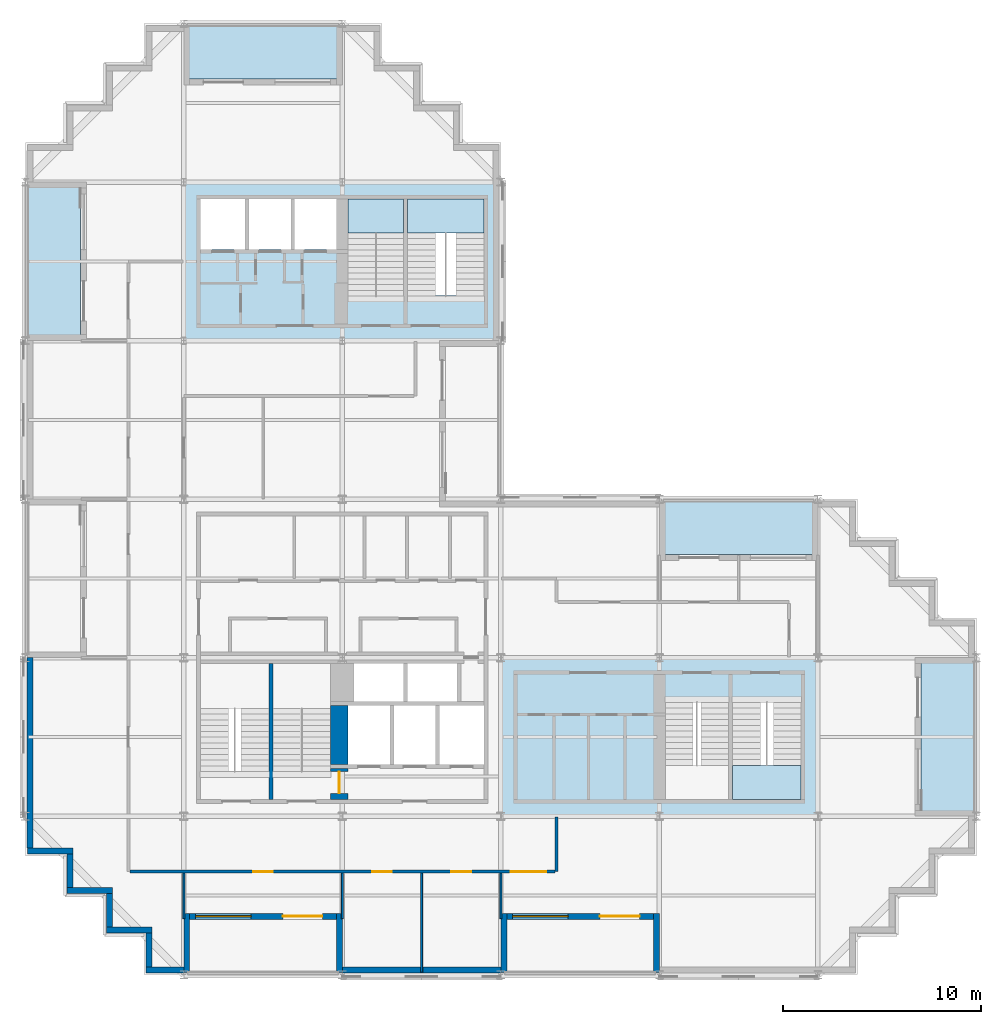
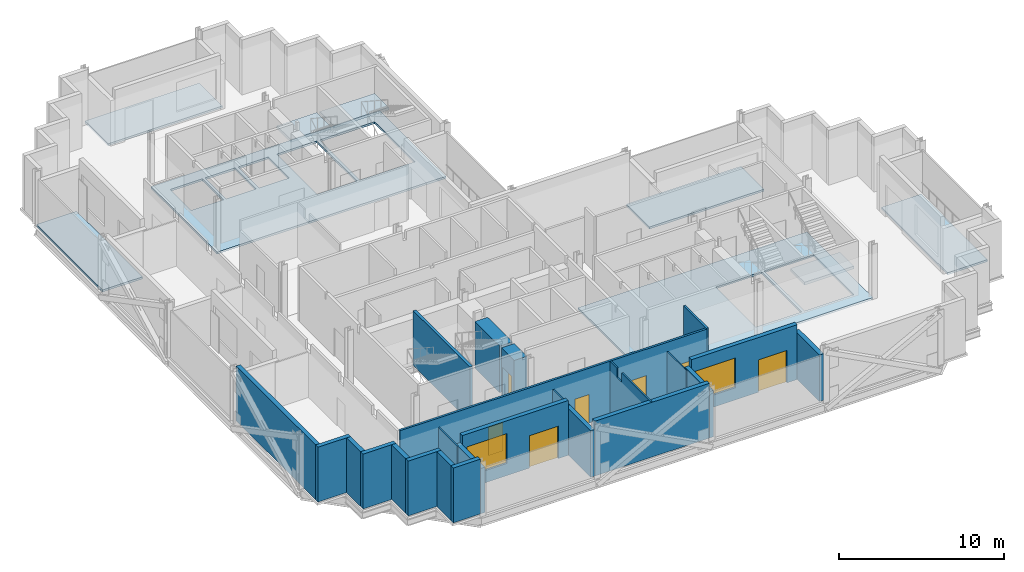
# One storey, part 4 of 10: 24 walls, 9 slabs, 7 doors, 2 windows, 9 openings, 3 elements without a shape of their own.
"""IFC4 building model written with IfcOpenShell, lengths in metres."""

from ifc_helpers import new_model, si_unit, direction, frame, frame_2d, origin, place, context, subcontext, project, spatial, polyline, rectangle, outline, extrude, material, layer, layer_set, type_object, element, fill, aggregate, save


model = new_model("IFC4")

# Units and contexts
model_context = context("Model", 3, precision=1e-05, world=origin(), true_north=direction((0.0, 1.0)))
body_context = subcontext(model_context, "Body", "Model", "MODEL_VIEW")
ifc_project = project(units=[si_unit("LENGTHUNIT", "METRE"), si_unit("AREAUNIT", "SQUARE_METRE"), si_unit("VOLUMEUNIT", "CUBIC_METRE"), si_unit("PLANEANGLEUNIT", "RADIAN"), si_unit("MASSUNIT", "GRAM", prefix="KILO")], contexts=[model_context])

# Site, building, storey
site_placement = place(None, origin())
site = spatial("IfcSite", under=ifc_project, at=site_placement, CompositionType="ELEMENT")
building_placement = place(site_placement, origin())
building = spatial("IfcBuilding", under=site, at=building_placement, Name="Immortelle Media Tower", CompositionType="ELEMENT")
storey_placement = place(building_placement, frame((0.0, 0.0, 162.0)))
storey = spatial("IfcBuildingStorey", under=building, at=storey_placement, Name="L33", CompositionType="ELEMENT", Elevation=162.0)

# Slabs
ifc_material_1 = material(Name="Concrete C50/60 composite deck", Category="concrete")
ifc_layer_1 = layer(ifc_material_1, 0.14990234375)
ifc_layer_set_1 = layer_set([ifc_layer_1], Name="Concrete C50/60 composite deck")
slab_type_1 = type_object("IfcSlabType", Name="Balcony slab 150", PredefinedType="FLOOR", material=ifc_layer_set_1)
slab_1_placement = place(storey_placement, frame((0.0, 0.0, -0.14990234375)))
element("IfcSlab", 1, at=slab_1_placement, inside=storey, type_object=slab_type_1, Name="Balcony slab L33 E0", PredefinedType="FLOOR", context=body_context, shape_type="SweptSolid", body=[
    extrude(outline(polyline([(48.0, 8.0), (48.0, 16.0), (45.199951171875, 16.0), (45.199951171875, 8.0), (48.0, 8.0)])), origin(), (0.0, 0.0, 1.0), 0.14990234375),
])
slab_2_placement = place(storey_placement, frame((0.0, 0.0, -0.14990234375)))
element("IfcSlab", 2, at=slab_2_placement, inside=storey, type_object=slab_type_1, Name="Balcony slab L33 N0", PredefinedType="FLOOR", context=body_context, shape_type="SweptSolid", body=[
    extrude(outline(polyline([(40.0, 21.199951171875), (40.0, 24.0), (32.0, 24.0), (32.0, 21.199951171875), (40.0, 21.199951171875)])), origin(), (0.0, 0.0, 1.0), 0.14990234375),
])
slab_3_placement = place(storey_placement, frame((0.0, 0.0, -0.14990234375)))
element("IfcSlab", 3, at=slab_3_placement, inside=storey, type_object=slab_type_1, Name="Balcony slab L33 N0", PredefinedType="FLOOR", context=body_context, shape_type="SweptSolid", body=[
    extrude(outline(polyline([(16.0, 45.199951171875), (16.0, 48.0), (8.0, 48.0), (8.0, 45.199951171875), (16.0, 45.199951171875)])), origin(), (0.0, 0.0, 1.0), 0.14990234375),
])
slab_4_placement = place(storey_placement, frame((0.0, 0.0, -0.14990234375)))
element("IfcSlab", 4, at=slab_4_placement, inside=storey, type_object=slab_type_1, Name="Balcony slab L33 W0", PredefinedType="FLOOR", context=body_context, shape_type="SweptSolid", body=[
    extrude(outline(polyline([(2.800048828125, 32.0), (2.800048828125, 40.0), (0.0, 40.0), (0.0, 32.0), (2.800048828125, 32.0)])), origin(), (0.0, 0.0, 1.0), 0.14990234375),
])
ifc_material_2 = material(Name="Concrete C50/60", Category="concrete")
ifc_layer_2 = layer(ifc_material_2, 0.14990234375)
ifc_layer_set_2 = layer_set([ifc_layer_2], Name="Concrete C50/60")
slab_type_2 = type_object("IfcSlabType", Name="Core floor slab 150", PredefinedType="FLOOR", material=ifc_layer_set_2)
slab_5_placement = place(storey_placement, frame((0.0, 0.0, -0.14990234375)))
element("IfcSlab", 5, at=slab_5_placement, inside=storey, type_object=slab_type_2, Name="Core floor SE", PredefinedType="FLOOR", context=body_context, shape_type="SweptSolid", body=[
    extrude(outline(polyline([(24.0, 8.0), (40.0, 8.0), (40.0, 16.0), (24.0, 16.0), (24.0, 8.0)]), holes=[polyline([(32.300048828125, 8.85009765625), (35.5, 8.85009765625), (35.5, 13.72998046875), (32.300048828125, 13.72998046875), (32.300048828125, 8.85009765625)]), polyline([(35.699951171875, 8.85009765625), (39.14990234375, 8.85009765625), (39.14990234375, 13.72998046875), (35.699951171875, 13.72998046875), (35.699951171875, 8.85009765625)])]), origin(), (0.0, 0.0, 1.0), 0.14990234375),
])
slab_6_placement = place(storey_placement, frame((0.0, 0.0, -0.14990234375)))
element("IfcSlab", 6, at=slab_6_placement, inside=storey, type_object=slab_type_2, Name="Core floor NW", PredefinedType="FLOOR", context=body_context, shape_type="SweptSolid", body=[
    extrude(outline(polyline([(8.0, 32.0), (24.0, 32.0), (24.0, 40.0), (8.0, 40.0), (8.0, 32.0)]), holes=[polyline([(8.85009765625, 36.60009765625), (11.10009765625, 36.60009765625), (11.10009765625, 39.14990234375), (8.85009765625, 39.14990234375), (8.85009765625, 36.60009765625)]), polyline([(11.300048828125, 36.60009765625), (13.39990234375, 36.60009765625), (13.39990234375, 39.14990234375), (11.300048828125, 39.14990234375), (11.300048828125, 36.60009765625)]), polyline([(13.60009765625, 36.60009765625), (15.699951171875, 36.60009765625), (15.699951171875, 39.14990234375), (13.60009765625, 39.14990234375), (13.60009765625, 36.60009765625)]), polyline([(16.300048828125, 34.27001953125), (19.10009765625, 34.27001953125), (19.10009765625, 39.14990234375), (16.300048828125, 39.14990234375), (16.300048828125, 34.27001953125)]), polyline([(19.300048828125, 34.27001953125), (23.14990234375, 34.27001953125), (23.14990234375, 39.14990234375), (19.300048828125, 39.14990234375), (19.300048828125, 34.27001953125)])]), origin(), (0.0, 0.0, 1.0), 0.14990234375),
])

# Stair, slab
ifc_material_3 = material(Name="Steel ASTM A992 Gr 50", Category="steel")
stair_type = type_object("IfcStairType", Name="Stair with flights", PredefinedType="DOUBLE_RETURN_STAIR", material=ifc_material_3)
stair_1_placement = place(storey_placement, origin())
stair_1 = element("IfcStair", 7, at=stair_1_placement, inside=storey, type_object=stair_type, Name="Exit stair SE2", PredefinedType="DOUBLE_RETURN_STAIR")
ifc_material_4 = material(Name="Steel ASTM A572 Gr 50", Category="steel")
ifc_layer_3 = layer(ifc_material_4, 0.199951171875)
ifc_layer_set_3 = layer_set([ifc_layer_3], Name="Steel ASTM A572 Gr 50")
slab_type_3 = type_object("IfcSlabType", Name="Stair landing 200", PredefinedType="LANDING", material=ifc_layer_set_3)
slab_7_placement = place(storey_placement, frame((0.0, 0.0, 1.89990234375)))
slab_7 = element("IfcSlab", 8, at=slab_7_placement, type_object=slab_type_3, Name="ST SE2 landing 1", PredefinedType="LANDING", context=body_context, shape_type="SweptSolid", body=[
    extrude(outline(polyline([(35.699951171875, 8.85009765625), (39.14990234375, 8.85009765625), (39.14990234375, 10.56005859375), (35.699951171875, 10.56005859375), (35.699951171875, 8.85009765625)])), origin(), (0.0, 0.0, 1.0), 0.2001953125),
])
aggregate(stair_1, [slab_7])

stair_2_placement = place(storey_placement, origin())
stair_2 = element("IfcStair", 9, at=stair_2_placement, inside=storey, type_object=stair_type, Name="Exit stair NW1", PredefinedType="DOUBLE_RETURN_STAIR")
slab_8_placement = place(storey_placement, frame((0.0, 0.0, 1.89990234375)))
slab_8 = element("IfcSlab", 10, at=slab_8_placement, type_object=slab_type_3, Name="ST NW1 landing 1", PredefinedType="LANDING", context=body_context, shape_type="SweptSolid", body=[
    extrude(outline(polyline([(16.300048828125, 37.43994140625), (19.10009765625, 37.43994140625), (19.10009765625, 39.14990234375), (16.300048828125, 39.14990234375), (16.300048828125, 37.43994140625)])), origin(), (0.0, 0.0, 1.0), 0.2001953125),
])
aggregate(stair_2, [slab_8])

stair_3_placement = place(storey_placement, origin())
stair_3 = element("IfcStair", 11, at=stair_3_placement, inside=storey, type_object=stair_type, Name="Exit stair NW2", PredefinedType="DOUBLE_RETURN_STAIR")
slab_9_placement = place(storey_placement, frame((0.0, 0.0, 1.89990234375)))
slab_9 = element("IfcSlab", 12, at=slab_9_placement, type_object=slab_type_3, Name="ST NW2 landing 1", PredefinedType="LANDING", context=body_context, shape_type="SweptSolid", body=[
    extrude(outline(polyline([(19.300048828125, 37.43994140625), (23.14990234375, 37.43994140625), (23.14990234375, 39.14990234375), (19.300048828125, 39.14990234375), (19.300048828125, 37.43994140625)])), origin(), (0.0, 0.0, 1.0), 0.2001953125),
])
aggregate(stair_3, [slab_9])

# Wall, openings, doors
ifc_material_5 = material(Name="Fire-rated gypsum board", Category="gypsum")
ifc_layer_4 = layer(ifc_material_5, 0.012451171875)
ifc_material_6 = material(Name="Steel ASTM A653 SS Gr 50 stud frame with mineral wool", Category="steel")
ifc_layer_5 = layer(ifc_material_6, 0.125)
ifc_layer_6 = layer(ifc_material_5, 0.012451171875)
ifc_layer_set_4 = layer_set([ifc_layer_4, ifc_layer_5, ifc_layer_6], Name="Steel ASTM A653 SS Gr 50 stud frame with mineral wool")
wall_type_1 = type_object("IfcWallType", Name="Corridor wall 150", PredefinedType="PARTITIONING", material=ifc_layer_set_4)
wall_1_placement = place(storey_placement, frame((5.27490234375, 5.199951171875, 0.0), z_axis=(0.0, 0.0, 1.0), x_axis=(1.0, 0.0, 0.0)))
wall_1 = element("IfcWall", 13, at=wall_1_placement, inside=storey, type_object=wall_type_1, Name="Partition L33-005", PredefinedType="PARTITIONING", context=body_context, shape_type="SweptSolid", body=[
    extrude(rectangle(XDim=21.4501953125, YDim=0.14990234375, at=frame_2d((10.72509765625, 0.0))), origin(), (0.0, 0.0, 1.0), 4.050048828125),
])
opening_1_placement = place(wall_1_placement, frame((13.22509765625, 0.0, 0.0), z_axis=(0.0, 0.0, 1.0), x_axis=(-1.0, 0.0, 0.0)))
opening_1 = element("IfcOpeningElement", 14, at=opening_1_placement, cuts=wall_1, Name="Opening C4-F001", PredefinedType="OPENING", context=body_context, shape_type="SweptSolid", body=[
    extrude(rectangle(XDim=1.0, YDim=2.10009765625, at=frame_2d((0.5, 1.050048828125))), frame((0.0, 0.0849609375, 0.0), z_axis=(0.0, -1.0, 0.0), x_axis=(1.0, 0.0, 0.0)), (0.0, 0.0, 1.0), 0.169921875),
])
opening_2_placement = place(wall_1_placement, frame((17.22509765625, 0.0, 0.0), z_axis=(0.0, 0.0, 1.0), x_axis=(-1.0, 0.0, 0.0)))
opening_2 = element("IfcOpeningElement", 15, at=opening_2_placement, cuts=wall_1, Name="Opening C4-F002", PredefinedType="OPENING", context=body_context, shape_type="SweptSolid", body=[
    extrude(rectangle(XDim=1.0, YDim=2.10009765625, at=frame_2d((0.5, 1.050048828125))), frame((0.0, 0.0849609375, 0.0), z_axis=(0.0, -1.0, 0.0), x_axis=(1.0, 0.0, 0.0)), (0.0, 0.0, 1.0), 0.169921875),
])
opening_3_placement = place(wall_1_placement, frame((7.22509765625, 0.0, 0.0), z_axis=(0.0, 0.0, 1.0), x_axis=(-1.0, 0.0, 0.0)))
opening_3 = element("IfcOpeningElement", 16, at=opening_3_placement, cuts=wall_1, Name="Opening C4-F003", PredefinedType="OPENING", context=body_context, shape_type="SweptSolid", body=[
    extrude(rectangle(XDim=1.0, YDim=2.10009765625, at=frame_2d((0.5, 1.050048828125))), frame((0.0, 0.0849609375, 0.0), z_axis=(0.0, -1.0, 0.0), x_axis=(1.0, 0.0, 0.0)), (0.0, 0.0, 1.0), 0.169921875),
])
opening_4_placement = place(wall_1_placement, frame((19.22509765625, 0.0, 0.0)))
opening_4 = element("IfcOpeningElement", 17, at=opening_4_placement, cuts=wall_1, Name="Opening C4-F004", PredefinedType="OPENING", context=body_context, shape_type="SweptSolid", body=[
    extrude(rectangle(XDim=1.800048828125, YDim=2.10009765625, at=frame_2d((0.89990234375, 1.050048828125))), frame((0.0, 0.0849609375, 0.0), z_axis=(0.0, -1.0, 0.0), x_axis=(1.0, 0.0, 0.0)), (0.0, 0.0, 1.0), 0.169921875),
])
ifc_material_7 = material(Name="Timber veneered door leaf, galvanised steel frame ASTM A653", Category="steel")
door_type_1 = type_object("IfcDoorType", Name="Room door 1000 x 2100", OperationType="NOTDEFINED", PredefinedType="DOOR", material=ifc_material_7)
door_1_placement = place(opening_1_placement, origin())
door_1 = element("IfcDoor", 18, at=door_1_placement, inside=storey, type_object=door_type_1, Name="Door C4-F001", OperationType="SINGLE_SWING_RIGHT", OverallHeight=2.10009765625, OverallWidth=1.0, PredefinedType="DOOR", context=body_context, shape_type="SweptSolid", body=[
    extrude(rectangle(XDim=1.0, YDim=2.10009765625, at=frame_2d((0.5, 1.050048828125))), frame((0.0, 0.02490234375, 0.0), z_axis=(0.0, -1.0, 0.0), x_axis=(1.0, 0.0, 0.0)), (0.0, 0.0, 1.0), 0.050048828125),
])
fill(opening_1, door_1)
door_2_placement = place(opening_2_placement, origin())
door_2 = element("IfcDoor", 19, at=door_2_placement, inside=storey, type_object=door_type_1, Name="Door C4-F002", OperationType="SINGLE_SWING_LEFT", OverallHeight=2.10009765625, OverallWidth=1.0, PredefinedType="DOOR", context=body_context, shape_type="SweptSolid", body=[
    extrude(rectangle(XDim=1.0, YDim=2.10009765625, at=frame_2d((0.5, 1.050048828125))), frame((0.0, 0.02490234375, 0.0), z_axis=(0.0, -1.0, 0.0), x_axis=(1.0, 0.0, 0.0)), (0.0, 0.0, 1.0), 0.050048828125),
])
fill(opening_2, door_2)
door_3_placement = place(opening_3_placement, origin())
door_3 = element("IfcDoor", 20, at=door_3_placement, inside=storey, type_object=door_type_1, Name="Door C4-F003", OperationType="SINGLE_SWING_LEFT", OverallHeight=2.10009765625, OverallWidth=1.0, PredefinedType="DOOR", context=body_context, shape_type="SweptSolid", body=[
    extrude(rectangle(XDim=1.0, YDim=2.10009765625, at=frame_2d((0.5, 1.050048828125))), frame((0.0, 0.02490234375, 0.0), z_axis=(0.0, -1.0, 0.0), x_axis=(1.0, 0.0, 0.0)), (0.0, 0.0, 1.0), 0.050048828125),
])
fill(opening_3, door_3)
door_type_2 = type_object("IfcDoorType", Name="Room door 1800 x 2100", OperationType="DOUBLE_DOOR_SINGLE_SWING", PredefinedType="DOOR", material=ifc_material_7)
door_4_placement = place(opening_4_placement, origin())
door_4 = element("IfcDoor", 21, at=door_4_placement, inside=storey, type_object=door_type_2, Name="Door C4-F004", OperationType="DOUBLE_DOOR_SINGLE_SWING", OverallHeight=2.10009765625, OverallWidth=1.800048828125, PredefinedType="DOOR", context=body_context, shape_type="SweptSolid", body=[
    extrude(rectangle(XDim=1.800048828125, YDim=2.10009765625, at=frame_2d((0.89990234375, 1.050048828125))), frame((0.0, 0.02490234375, 0.0), z_axis=(0.0, -1.0, 0.0), x_axis=(1.0, 0.0, 0.0)), (0.0, 0.0, 1.0), 0.050048828125),
])
fill(opening_4, door_4)

# Walls
wall_2_placement = place(storey_placement, frame((26.800048828125, 5.199951171875, 0.0), z_axis=(0.0, 0.0, 1.0), x_axis=(0.0, 1.0, 0.0)))
element("IfcWall", 22, at=wall_2_placement, inside=storey, type_object=wall_type_1, Name="Partition L33-007", PredefinedType="PARTITIONING", context=body_context, shape_type="SweptSolid", body=[
    extrude(rectangle(XDim=2.77001953125, YDim=0.14990234375, at=frame_2d((1.385009765625, 0.0))), origin(), (0.0, 0.0, 1.0), 4.050048828125),
])
ifc_material_8 = material(Name="Pale aluminium cladding panel", Category="aluminium")
ifc_layer_7 = layer(ifc_material_8, 0.030029296875)
ifc_layer_8 = layer(ifc_material_6, 0.257568359375)
ifc_material_9 = material(Name="Moisture-resistant gypsum board", Category="gypsum")
ifc_layer_9 = layer(ifc_material_9, 0.012451171875)
ifc_layer_set_5 = layer_set([ifc_layer_7, ifc_layer_8, ifc_layer_9], Name="Steel ASTM A653 SS Gr 50 stud frame with mineral wool")
wall_type_2 = type_object("IfcWallType", Name="Facade wall 300", PredefinedType="SOLIDWALL", material=ifc_layer_set_5)
wall_3_placement = place(storey_placement, frame((0.10009765625, 6.25, 0.0), z_axis=(0.0, 0.0, 1.0), x_axis=(1.0, 0.0, 0.0)))
element("IfcWall", 23, at=wall_3_placement, inside=storey, type_object=wall_type_2, Name="Facade wall L33 S0", PredefinedType="SOLIDWALL", context=body_context, shape_type="SweptSolid", body=[
    extrude(rectangle(XDim=2.2998046875, YDim=0.300048828125, at=frame_2d((1.14990234375, 0.0))), origin(), (0.0, 0.0, 1.0), 4.050048828125),
])
wall_4_placement = place(storey_placement, frame((2.25, 6.10009765625, 0.0), z_axis=(0.0, 0.0, 1.0), x_axis=(0.0, -1.0, 0.0)))
element("IfcWall", 24, at=wall_4_placement, inside=storey, type_object=wall_type_2, Name="Facade wall L33 W1", PredefinedType="SOLIDWALL", context=body_context, shape_type="SweptSolid", body=[
    extrude(rectangle(XDim=1.7001953125, YDim=0.300048828125, at=frame_2d((0.85009765625, 0.0))), origin(), (0.0, 0.0, 1.0), 4.050048828125),
])
wall_5_placement = place(storey_placement, frame((2.10009765625, 4.25, 0.0), z_axis=(0.0, 0.0, 1.0), x_axis=(1.0, 0.0, 0.0)))
element("IfcWall", 25, at=wall_5_placement, inside=storey, type_object=wall_type_2, Name="Facade wall L33 S2", PredefinedType="SOLIDWALL", context=body_context, shape_type="SweptSolid", body=[
    extrude(rectangle(XDim=2.2998046875, YDim=0.300048828125, at=frame_2d((1.14990234375, 0.0))), origin(), (0.0, 0.0, 1.0), 4.050048828125),
])
wall_6_placement = place(storey_placement, frame((4.25, 4.10009765625, 0.0), z_axis=(0.0, 0.0, 1.0), x_axis=(0.0, -1.0, 0.0)))
element("IfcWall", 26, at=wall_6_placement, inside=storey, type_object=wall_type_2, Name="Facade wall L33 W3", PredefinedType="SOLIDWALL", context=body_context, shape_type="SweptSolid", body=[
    extrude(rectangle(XDim=1.7001953125, YDim=0.300048828125, at=frame_2d((0.85009765625, 0.0))), origin(), (0.0, 0.0, 1.0), 4.050048828125),
])
wall_7_placement = place(storey_placement, frame((4.10009765625, 2.25, 0.0), z_axis=(0.0, 0.0, 1.0), x_axis=(1.0, 0.0, 0.0)))
element("IfcWall", 27, at=wall_7_placement, inside=storey, type_object=wall_type_2, Name="Facade wall L33 S4", PredefinedType="SOLIDWALL", context=body_context, shape_type="SweptSolid", body=[
    extrude(rectangle(XDim=2.2998046875, YDim=0.300048828125, at=frame_2d((1.14990234375, 0.0))), origin(), (0.0, 0.0, 1.0), 4.050048828125),
])
wall_8_placement = place(storey_placement, frame((6.25, 2.10009765625, 0.0), z_axis=(0.0, 0.0, 1.0), x_axis=(0.0, -1.0, 0.0)))
element("IfcWall", 28, at=wall_8_placement, inside=storey, type_object=wall_type_2, Name="Facade wall L33 W5", PredefinedType="SOLIDWALL", context=body_context, shape_type="SweptSolid", body=[
    extrude(rectangle(XDim=1.7001953125, YDim=0.300048828125, at=frame_2d((0.85009765625, 0.0))), origin(), (0.0, 0.0, 1.0), 4.050048828125),
])
wall_9_placement = place(storey_placement, frame((6.10009765625, 0.25, 0.0), z_axis=(0.0, 0.0, 1.0), x_axis=(1.0, 0.0, 0.0)))
element("IfcWall", 29, at=wall_9_placement, inside=storey, type_object=wall_type_2, Name="Facade wall L33 S6", PredefinedType="SOLIDWALL", context=body_context, shape_type="SweptSolid", body=[
    extrude(rectangle(XDim=1.89990234375, YDim=0.300048828125, at=frame_2d((0.949951171875, 0.0))), origin(), (0.0, 0.0, 1.0), 4.050048828125),
])

# Wall, openings, door, window
wall_10_placement = place(storey_placement, frame((8.300048828125, 2.949951171875, 0.0), z_axis=(0.0, 0.0, 1.0), x_axis=(1.0, 0.0, 0.0)))
wall_10 = element("IfcWall", 30, at=wall_10_placement, inside=storey, type_object=wall_type_2, Name="Loggia wall L33 S6", PredefinedType="SOLIDWALL", context=body_context, shape_type="SweptSolid", body=[
    extrude(rectangle(XDim=7.39990234375, YDim=0.300048828125, at=frame_2d((3.699951171875, 0.0))), origin(), (0.0, 0.0, 1.0), 4.050048828125),
])
opening_5_placement = place(wall_10_placement, frame((0.300048828125, 0.0, 0.89990234375)))
opening_5 = element("IfcOpeningElement", 31, at=opening_5_placement, cuts=wall_10, Name="Opening W1", PredefinedType="OPENING", context=body_context, shape_type="SweptSolid", body=[
    extrude(rectangle(XDim=2.800048828125, YDim=2.199951171875, at=frame_2d((1.39990234375, 1.10009765625))), frame((0.0, 0.159912109375, 0.0), z_axis=(0.0, -1.0, 0.0), x_axis=(1.0, 0.0, 0.0)), (0.0, 0.0, 1.0), 0.320068359375),
])
opening_6_placement = place(wall_10_placement, frame((4.699951171875, 0.0, 0.0)))
opening_6 = element("IfcOpeningElement", 32, at=opening_6_placement, cuts=wall_10, Name="Opening C4-E001", PredefinedType="OPENING", context=body_context, shape_type="SweptSolid", body=[
    extrude(rectangle(XDim=2.0, YDim=2.39990234375, at=frame_2d((1.0, 1.199951171875))), frame((0.0, 0.159912109375, 0.0), z_axis=(0.0, -1.0, 0.0), x_axis=(1.0, 0.0, 0.0)), (0.0, 0.0, 1.0), 0.320068359375),
])
ifc_material_10 = material(Name="Aluminium frame, glazed leaves", Category="aluminium")
door_type_3 = type_object("IfcDoorType", Name="Loggia door 2000 x 2400", OperationType="DOUBLE_DOOR_SINGLE_SWING", PredefinedType="DOOR", material=ifc_material_10)
door_5_placement = place(opening_6_placement, origin())
door_5 = element("IfcDoor", 33, at=door_5_placement, inside=storey, type_object=door_type_3, Name="Door C4-E001", OperationType="DOUBLE_DOOR_SINGLE_SWING", OverallHeight=2.39990234375, OverallWidth=2.0, PredefinedType="DOOR", context=body_context, shape_type="SweptSolid", body=[
    extrude(rectangle(XDim=2.0, YDim=2.39990234375, at=frame_2d((1.0, 1.199951171875))), frame((0.0, 0.02490234375, 0.0), z_axis=(0.0, -1.0, 0.0), x_axis=(1.0, 0.0, 0.0)), (0.0, 0.0, 1.0), 0.050048828125),
])
fill(opening_6, door_5)
ifc_material_11 = material(Name="Aluminium frame", Category="aluminium")
window_type = type_object("IfcWindowType", Name="Window 2800 x 2200", PartitioningType="SINGLE_PANEL", PredefinedType="WINDOW", material=ifc_material_11)
window_1_placement = place(opening_5_placement, origin())
window_1 = element("IfcWindow", 34, at=window_1_placement, inside=storey, type_object=window_type, Name="Window L33 L33-R6-B0", OverallHeight=2.199951171875, OverallWidth=2.800048828125, PartitioningType="SINGLE_PANEL", PredefinedType="WINDOW", context=body_context, shape_type="SweptSolid", body=[
    extrude(rectangle(XDim=2.800048828125, YDim=2.199951171875, at=frame_2d((1.39990234375, 1.10009765625))), frame((0.0, 0.030029296875, 0.0), z_axis=(0.0, -1.0, 0.0), x_axis=(1.0, 0.0, 0.0)), (0.0, 0.0, 1.0), 0.06005859375),
])
fill(opening_5, window_1)

# Walls
wall_11_placement = place(storey_placement, frame((8.14990234375, 0.10009765625, 0.0), z_axis=(0.0, 0.0, 1.0), x_axis=(0.0, 1.0, 0.0)))
element("IfcWall", 35, at=wall_11_placement, inside=storey, type_object=wall_type_2, Name="Loggia cheek wall L33 S", PredefinedType="SOLIDWALL", context=body_context, shape_type="SweptSolid", body=[
    extrude(rectangle(XDim=3.0, YDim=0.300048828125, at=frame_2d((1.5, 0.0))), origin(), (0.0, 0.0, 1.0), 3.35302734375),
])
wall_12_placement = place(storey_placement, frame((15.85009765625, 0.10009765625, 0.0), z_axis=(0.0, 0.0, 1.0), x_axis=(0.0, 1.0, 0.0)))
element("IfcWall", 36, at=wall_12_placement, inside=storey, type_object=wall_type_2, Name="Loggia cheek wall L33 S", PredefinedType="SOLIDWALL", context=body_context, shape_type="SweptSolid", body=[
    extrude(rectangle(XDim=3.0, YDim=0.300048828125, at=frame_2d((1.5, 0.0))), origin(), (0.0, 0.0, 1.0), 3.43701171875),
])
wall_13_placement = place(storey_placement, frame((16.0, 0.25, 0.0), z_axis=(0.0, 0.0, 1.0), x_axis=(1.0, 0.0, 0.0)))
element("IfcWall", 37, at=wall_13_placement, inside=storey, type_object=wall_type_2, Name="Facade wall L33 S6", PredefinedType="SOLIDWALL", context=body_context, shape_type="SweptSolid", body=[
    extrude(rectangle(XDim=8.0, YDim=0.300048828125, at=frame_2d((4.0, 0.0))), origin(), (0.0, 0.0, 1.0), 4.050048828125),
])

# Wall, openings, door, window
wall_14_placement = place(storey_placement, frame((24.300048828125, 2.949951171875, 0.0), z_axis=(0.0, 0.0, 1.0), x_axis=(1.0, 0.0, 0.0)))
wall_14 = element("IfcWall", 38, at=wall_14_placement, inside=storey, type_object=wall_type_2, Name="Loggia wall L33 S6", PredefinedType="SOLIDWALL", context=body_context, shape_type="SweptSolid", body=[
    extrude(rectangle(XDim=7.39990234375, YDim=0.300048828125, at=frame_2d((3.699951171875, 0.0))), origin(), (0.0, 0.0, 1.0), 4.050048828125),
])
opening_7_placement = place(wall_14_placement, frame((0.300048828125, 0.0, 0.89990234375)))
opening_7 = element("IfcOpeningElement", 39, at=opening_7_placement, cuts=wall_14, Name="Opening W1", PredefinedType="OPENING", context=body_context, shape_type="SweptSolid", body=[
    extrude(rectangle(XDim=2.800048828125, YDim=2.199951171875, at=frame_2d((1.39990234375, 1.10009765625))), frame((0.0, 0.159912109375, 0.0), z_axis=(0.0, -1.0, 0.0), x_axis=(1.0, 0.0, 0.0)), (0.0, 0.0, 1.0), 0.320068359375),
])
opening_8_placement = place(wall_14_placement, frame((4.699951171875, 0.0, 0.0)))
opening_8 = element("IfcOpeningElement", 40, at=opening_8_placement, cuts=wall_14, Name="Opening C4-E002", PredefinedType="OPENING", context=body_context, shape_type="SweptSolid", body=[
    extrude(rectangle(XDim=2.0, YDim=2.39990234375, at=frame_2d((1.0, 1.199951171875))), frame((0.0, 0.159912109375, 0.0), z_axis=(0.0, -1.0, 0.0), x_axis=(1.0, 0.0, 0.0)), (0.0, 0.0, 1.0), 0.320068359375),
])
door_6_placement = place(opening_8_placement, origin())
door_6 = element("IfcDoor", 41, at=door_6_placement, inside=storey, type_object=door_type_3, Name="Door C4-E002", OperationType="DOUBLE_DOOR_SINGLE_SWING", OverallHeight=2.39990234375, OverallWidth=2.0, PredefinedType="DOOR", context=body_context, shape_type="SweptSolid", body=[
    extrude(rectangle(XDim=2.0, YDim=2.39990234375, at=frame_2d((1.0, 1.199951171875))), frame((0.0, 0.02490234375, 0.0), z_axis=(0.0, -1.0, 0.0), x_axis=(1.0, 0.0, 0.0)), (0.0, 0.0, 1.0), 0.050048828125),
])
fill(opening_8, door_6)
window_2_placement = place(opening_7_placement, origin())
window_2 = element("IfcWindow", 42, at=window_2_placement, inside=storey, type_object=window_type, Name="Window L33 L33-R6-B2", OverallHeight=2.199951171875, OverallWidth=2.800048828125, PartitioningType="SINGLE_PANEL", PredefinedType="WINDOW", context=body_context, shape_type="SweptSolid", body=[
    extrude(rectangle(XDim=2.800048828125, YDim=2.199951171875, at=frame_2d((1.39990234375, 1.10009765625))), frame((0.0, 0.030029296875, 0.0), z_axis=(0.0, -1.0, 0.0), x_axis=(1.0, 0.0, 0.0)), (0.0, 0.0, 1.0), 0.06005859375),
])
fill(opening_7, window_2)

# Walls
for number, where, z_axis, x_axis, name in (
    (43, (24.14990234375, 0.10009765625, 0.0), (0.0, 0.0, 1.0), (0.0, 1.0, 0.0), "Loggia cheek wall L33 S"),
    (44, (31.85009765625, 0.10009765625, 0.0), (0.0, 0.0, 1.0), (0.0, 1.0, 0.0), "Loggia cheek wall L33 S"),
):
    element("IfcWall", number, at=place(storey_placement, frame(where, z_axis=z_axis, x_axis=x_axis)), inside=storey, type_object=wall_type_2, Name=name, PredefinedType="SOLIDWALL", context=body_context, shape_type="SweptSolid", body=[
        extrude(rectangle(XDim=3.0, YDim=0.300048828125, at=frame_2d((1.5, 0.0))), origin(), (0.0, 0.0, 1.0), 3.43701171875),
    ])
wall_15_placement = place(storey_placement, frame((0.25, 16.0, 0.0), z_axis=(0.0, 0.0, 1.0), x_axis=(0.0, -1.0, 0.0)))
element("IfcWall", 45, at=wall_15_placement, inside=storey, type_object=wall_type_2, Name="Facade wall L33 W35", PredefinedType="SOLIDWALL", context=body_context, shape_type="SweptSolid", body=[
    extrude(rectangle(XDim=9.60009765625, YDim=0.300048828125, at=frame_2d((4.800048828125, 0.0))), origin(), (0.0, 0.0, 1.0), 4.050048828125),
])
ifc_material_12 = material(Name="Gypsum board", Category="gypsum")
ifc_layer_10 = layer(ifc_material_12, 0.012451171875)
ifc_layer_11 = layer(ifc_material_6, 0.074951171875)
ifc_layer_12 = layer(ifc_material_12, 0.012451171875)
ifc_layer_set_6 = layer_set([ifc_layer_10, ifc_layer_11, ifc_layer_12], Name="Steel ASTM A653 SS Gr 50 stud frame with mineral wool")
wall_type_3 = type_object("IfcWallType", Name="Partition 100", PredefinedType="PARTITIONING", material=ifc_layer_set_6)
wall_16_placement = place(storey_placement, frame((20.0, 0.1298828125, 0.0), z_axis=(0.0, 0.0, 1.0), x_axis=(0.0, 1.0, 0.0)))
element("IfcWall", 46, at=wall_16_placement, inside=storey, type_object=wall_type_3, Name="Partition L33-001", PredefinedType="PARTITIONING", context=body_context, shape_type="SweptSolid", body=[
    extrude(outline(polyline([(0.0, 0.0), (4.9951171875, 0.0), (4.9951171875, 4.050048828125), (4.169921875, 4.050048828125), (4.16796875, 3.35400390625), (3.572021484375, 3.35400390625), (3.570068359375, 4.050048828125), (0.0, 4.050048828125), (0.0, 0.0)])), frame((0.0, 0.050048828125, 0.0), z_axis=(0.0, -1.0, 0.0), x_axis=(1.0, 0.0, 0.0)), (0.0, 0.0, 1.0), 0.10009765625),
])
for number, where, z_axis, x_axis, name in (
    (47, (8.0, 2.830078125, 0.0), (0.0, 0.0, 1.0), (0.0, 1.0, 0.0), "Partition L33-002"),
    (48, (16.0, 2.830078125, 0.0), (0.0, 0.0, 1.0), (0.0, 1.0, 0.0), "Partition L33-003"),
    (49, (24.0, 2.830078125, 0.0), (0.0, 0.0, 1.0), (0.0, 1.0, 0.0), "Partition L33-004"),
):
    element("IfcWall", number, at=place(storey_placement, frame(where, z_axis=z_axis, x_axis=x_axis)), inside=storey, type_object=wall_type_3, Name=name, PredefinedType="PARTITIONING", context=body_context, shape_type="SweptSolid", body=[
        extrude(rectangle(XDim=2.294921875, YDim=0.10009765625, at=frame_2d((1.1474609375, 0.0))), origin(), (0.0, 0.0, 1.0), 3.35400390625),
    ])
ifc_material_13 = material(Name="Concrete C60", Category="concrete")
ifc_layer_13 = layer(ifc_material_13, 0.199951171875)
ifc_layer_set_7 = layer_set([ifc_layer_13], Name="Concrete C60")
wall_type_4 = type_object("IfcWallType", Name="Stair shaft wall 200", PredefinedType="PARTITIONING", material=ifc_layer_set_7)
wall_17_placement = place(storey_placement, frame((12.39990234375, 8.85009765625, 0.0), z_axis=(0.0, 0.0, 1.0), x_axis=(0.0, 1.0, 0.0)))
element("IfcWall", 50, at=wall_17_placement, inside=storey, type_object=wall_type_4, Name="Stair shaft wall SW", PredefinedType="PARTITIONING", context=body_context, shape_type="SweptSolid", body=[
    extrude(rectangle(XDim=6.849853515625, YDim=0.199951171875, at=frame_2d((3.4248046875, 0.0))), origin(), (0.0, 0.0, 1.0), 4.050048828125),
])

# Wall, opening, door
ifc_layer_14 = layer(ifc_material_13, 0.89990234375)
ifc_layer_set_8 = layer_set([ifc_layer_14], Name="Concrete C60")
wall_type_5 = type_object("IfcWallType", Name="Stair shaft wall 900", PredefinedType="PARTITIONING", material=ifc_layer_set_8)
wall_18_placement = place(storey_placement, frame((15.85009765625, 8.85009765625, 0.0), z_axis=(0.0, 0.0, 1.0), x_axis=(0.0, 1.0, 0.0)))
wall_18 = element("IfcWall", 51, at=wall_18_placement, inside=storey, type_object=wall_type_5, Name="Stair shaft wall SW", PredefinedType="PARTITIONING", context=body_context, shape_type="SweptSolid", body=[
    extrude(rectangle(XDim=1.5498046875, YDim=0.89990234375, at=frame_2d((0.77490234375, 0.0))), origin(), (0.0, 0.0, 1.0), 3.44189453125),
])
opening_9_placement = place(wall_18_placement, frame((0.300048828125, 0.0, 0.0)))
opening_9 = element("IfcOpeningElement", 52, at=opening_9_placement, cuts=wall_18, Name="Opening C4-K007", PredefinedType="OPENING", context=body_context, shape_type="SweptSolid", body=[
    extrude(rectangle(XDim=1.10009765625, YDim=2.10009765625, at=frame_2d((0.550048828125, 1.050048828125))), frame((0.0, 0.4599609375, 0.0), z_axis=(0.0, -1.0, 0.0), x_axis=(1.0, 0.0, 0.0)), (0.0, 0.0, 1.0), 0.919921875),
])
ifc_material_14 = material(Name="Galvanised steel door leaf and frame ASTM A653", Category="steel")
door_type_4 = type_object("IfcDoorType", Name="Stair lobby door 1100 x 2100", OperationType="NOTDEFINED", PredefinedType="NOTDEFINED", material=ifc_material_14)
door_7_placement = place(opening_9_placement, origin())
door_7 = element("IfcDoor", 53, at=door_7_placement, inside=storey, type_object=door_type_4, Name="Stair lobby C4-K007", OperationType="SINGLE_SWING_LEFT", OverallHeight=2.10009765625, OverallWidth=1.10009765625, PredefinedType="NOTDEFINED", context=body_context, shape_type="SweptSolid", body=[
    extrude(rectangle(XDim=1.10009765625, YDim=2.10009765625, at=frame_2d((0.550048828125, 1.050048828125))), frame((0.0, 0.02490234375, 0.0), z_axis=(0.0, -1.0, 0.0), x_axis=(1.0, 0.0, 0.0)), (0.0, 0.0, 1.0), 0.050048828125),
])
fill(opening_9, door_7)

# Wall
wall_19_placement = place(storey_placement, frame((15.85009765625, 10.60009765625, 0.0), z_axis=(0.0, 0.0, 1.0), x_axis=(0.0, 1.0, 0.0)))
element("IfcWall", 54, at=wall_19_placement, inside=storey, type_object=wall_type_5, Name="Stair shaft wall SW", PredefinedType="PARTITIONING", context=body_context, shape_type="SweptSolid", body=[
    extrude(rectangle(XDim=3.0, YDim=0.89990234375, at=frame_2d((1.5, 0.0))), origin(), (0.0, 0.0, 1.0), 3.44189453125),
])

save(model, "model.ifc")
